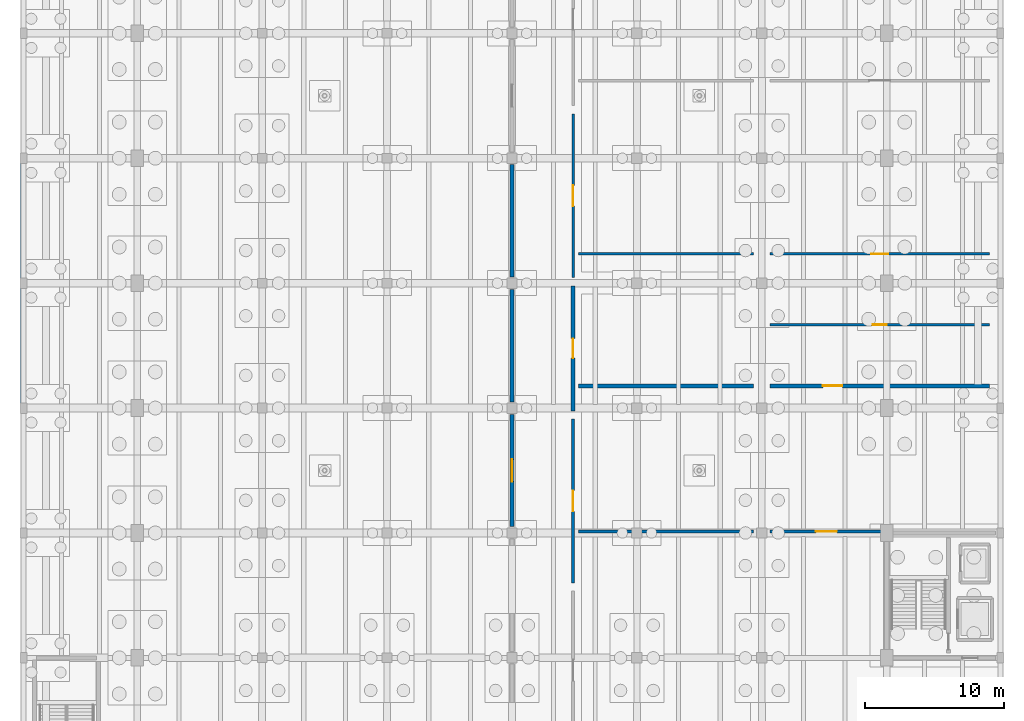
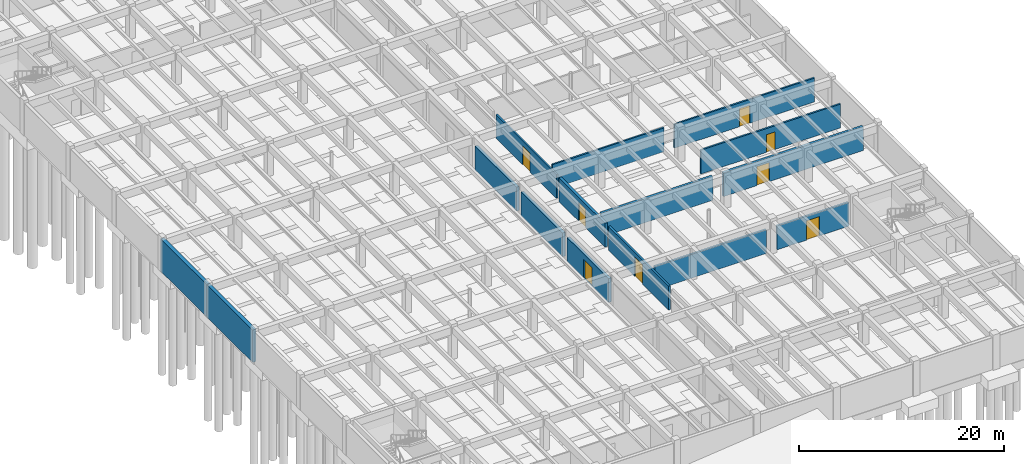
# One storey, part 18 of 23: 15 walls, 8 doors, 8 openings.
"""IFC4 building model written with IfcOpenShell, lengths in metres."""

from ifc_helpers import new_model, si_unit, direction, frame, frame_2d, origin, place, context, subcontext, project, spatial, rectangle, extrude, material, layer, layer_set, type_object, element, fill, save


model = new_model("IFC4")

# Units and contexts
model_context = context("Model", 3, precision=1e-05, world=origin(), true_north=direction((0.0, 1.0)))
body_context = subcontext(model_context, "Body", "Model", "MODEL_VIEW")
ifc_project = project(units=[si_unit("LENGTHUNIT", "METRE"), si_unit("AREAUNIT", "SQUARE_METRE"), si_unit("VOLUMEUNIT", "CUBIC_METRE"), si_unit("PLANEANGLEUNIT", "RADIAN"), si_unit("MASSUNIT", "GRAM", prefix="KILO")], contexts=[model_context])

# Site, building, storey
site_placement = place(None, origin())
site = spatial("IfcSite", under=ifc_project, at=site_placement, CompositionType="ELEMENT")
building_placement = place(site_placement, origin())
building = spatial("IfcBuilding", under=site, at=building_placement, Name="Ornek Quay Market", CompositionType="ELEMENT")
storey_placement = place(building_placement, frame((0.0, 0.0, -4.199951171875)))
storey = spatial("IfcBuildingStorey", under=building, at=storey_placement, Name="B1", CompositionType="ELEMENT", Elevation=-4.199951171875)

# Wall, opening, door
ifc_material_1 = material(Name="Double-stud acoustic laboratory partition", Category="other")
ifc_layer_1 = layer(ifc_material_1, 0.195068359375, Name="Double-stud acoustic laboratory partition", Category="other")
ifc_layer_set_1 = layer_set([ifc_layer_1], Name="Double-stud acoustic laboratory partition")
wall_type_1 = type_object("IfcWallType", Name="WL-ACOUSTIC-195", PredefinedType="PARTITIONING", material=ifc_layer_set_1)
wall_1_placement = place(storey_placement, frame((108.60009765625, 53.0, 0.0), z_axis=(0.0, 0.0, 1.0), x_axis=(1.0, 0.0, 0.0)))
wall_1 = element("IfcWall", 1, at=wall_1_placement, inside=storey, type_object=wall_type_1, Name="Interior wall W-INT6-356", PredefinedType="PARTITIONING", context=body_context, shape_type="SweptSolid", body=[
    extrude(rectangle(XDim=15.7998046875, YDim=0.195068359375, at=frame_2d((7.89990234375, 0.0))), origin(), (0.0, 0.0, 1.0), 2.849853515625),
])
opening_1_placement = place(wall_1_placement, frame((7.39990234375, 0.0, 0.0)))
opening_1 = element("IfcOpeningElement", 2, at=opening_1_placement, cuts=wall_1, Name="Opening ID-03-176", PredefinedType="OPENING", context=body_context, shape_type="SweptSolid", body=[
    extrude(rectangle(XDim=1.0, YDim=2.10009765625, at=frame_2d((0.5, 1.050048828125))), frame((0.0, 0.107421875, 0.0), z_axis=(0.0, -1.0, 0.0), x_axis=(1.0, 0.0, 0.0)), (0.0, 0.0, 1.0), 0.215087890625),
])
ifc_material_2 = material(Name="Solid oak door", Category="other")
door_type_1 = type_object("IfcDoorType", Name="DR-INT-ROOM-1000x2100", OperationType="NOTDEFINED", PredefinedType="DOOR", material=ifc_material_2)
door_1_placement = place(opening_1_placement, origin())
door_1 = element("IfcDoor", 3, at=door_1_placement, inside=storey, type_object=door_type_1, Name="Interior door ID-03-176", OperationType="SINGLE_SWING_LEFT", OverallHeight=2.10009765625, OverallWidth=1.0, PredefinedType="DOOR", context=body_context, shape_type="SweptSolid", body=[
    extrude(rectangle(XDim=1.0, YDim=2.10009765625, at=frame_2d((0.5, 1.050048828125))), frame((0.0, 0.02490234375, 0.0), z_axis=(0.0, -1.0, 0.0), x_axis=(1.0, 0.0, 0.0)), (0.0, 0.0, 1.0), 0.050048828125),
])
fill(opening_1, door_1)

ifc_material_3 = material(Name="Insulated PIR cold-store panel", Category="other")
ifc_layer_2 = layer(ifc_material_3, 0.219970703125, Name="Insulated PIR cold-store panel", Category="other")
ifc_layer_set_2 = layer_set([ifc_layer_2], Name="Insulated PIR cold-store panel")
wall_type_2 = type_object("IfcWallType", Name="WL-COLD-220", PredefinedType="PARTITIONING", material=ifc_layer_set_2)
wall_2_placement = place(storey_placement, frame((94.39990234375, 34.39990234375, 0.0), z_axis=(0.0, 0.0, 1.0), x_axis=(0.0, 1.0, 0.0)))
wall_2 = element("IfcWall", 4, at=wall_2_placement, inside=storey, type_object=wall_type_2, Name="Interior wall W-CLD1-199", PredefinedType="PARTITIONING", context=body_context, shape_type="SweptSolid", body=[
    extrude(rectangle(XDim=11.800048828125, YDim=0.219970703125, at=frame_2d((5.89990234375, 0.0))), origin(), (0.0, 0.0, 1.0), 2.849853515625),
])
opening_2_placement = place(wall_2_placement, frame((5.14990234375, 0.0, 0.0)))
opening_2 = element("IfcOpeningElement", 5, at=opening_2_placement, cuts=wall_2, Name="Opening FD-07-080", PredefinedType="OPENING", context=body_context, shape_type="SweptSolid", body=[
    extrude(rectangle(XDim=1.5, YDim=2.300048828125, at=frame_2d((0.75, 1.14990234375))), frame((0.0, 0.119873046875, 0.0), z_axis=(0.0, -1.0, 0.0), x_axis=(1.0, 0.0, 0.0)), (0.0, 0.0, 1.0), 0.239990234375),
])
ifc_material_4 = material(Name="Stainless steel PIR cold-store door", Category="steel")
door_type_2 = type_object("IfcDoorType", Name="DR-COLD-SLD-1500x2300", OperationType="SLIDING_TO_LEFT", PredefinedType="DOOR", material=ifc_material_4)
door_2_placement = place(opening_2_placement, origin())
door_2 = element("IfcDoor", 6, at=door_2_placement, inside=storey, type_object=door_type_2, Name="Interior door FD-07-080", OperationType="SLIDING_TO_LEFT", OverallHeight=2.300048828125, OverallWidth=1.5, PredefinedType="DOOR", context=body_context, shape_type="SweptSolid", body=[
    extrude(rectangle(XDim=1.5, YDim=2.300048828125, at=frame_2d((0.75, 1.14990234375))), frame((0.0, 0.02490234375, 0.0), z_axis=(0.0, -1.0, 0.0), x_axis=(1.0, 0.0, 0.0)), (0.0, 0.0, 1.0), 0.050048828125),
])
fill(opening_2, door_2)

# Wall
wall_3_placement = place(storey_placement, frame((94.800048828125, 38.10009765625, 0.0), z_axis=(0.0, 0.0, 1.0), x_axis=(1.0, 0.0, 0.0)))
element("IfcWall", 7, at=wall_3_placement, inside=storey, type_object=wall_type_2, Name="Interior wall W-CLD1-207", PredefinedType="PARTITIONING", context=body_context, shape_type="SweptSolid", body=[
    extrude(rectangle(XDim=12.599853515625, YDim=0.219970703125, at=frame_2d((6.2998046875, 0.0))), origin(), (0.0, 0.0, 1.0), 2.849853515625),
])

# Wall, opening, door
wall_4_placement = place(storey_placement, frame((108.60009765625, 38.10009765625, 0.0), z_axis=(0.0, 0.0, 1.0), x_axis=(1.0, 0.0, 0.0)))
wall_4 = element("IfcWall", 8, at=wall_4_placement, inside=storey, type_object=wall_type_2, Name="Interior wall W-CLD1-208", PredefinedType="PARTITIONING", context=body_context, shape_type="SweptSolid", body=[
    extrude(rectangle(XDim=8.099853515625, YDim=0.219970703125, at=frame_2d((4.0498046875, 0.0))), origin(), (0.0, 0.0, 1.0), 2.849853515625),
])
opening_3_placement = place(wall_4_placement, frame((3.300048828125, 0.0, 0.0)))
opening_3 = element("IfcOpeningElement", 9, at=opening_3_placement, cuts=wall_4, Name="Opening FD-07-087", PredefinedType="OPENING", context=body_context, shape_type="SweptSolid", body=[
    extrude(rectangle(XDim=1.5, YDim=2.300048828125, at=frame_2d((0.75, 1.14990234375))), frame((0.0, 0.119873046875, 0.0), z_axis=(0.0, -1.0, 0.0), x_axis=(1.0, 0.0, 0.0)), (0.0, 0.0, 1.0), 0.239990234375),
])
door_3_placement = place(opening_3_placement, origin())
door_3 = element("IfcDoor", 10, at=door_3_placement, inside=storey, type_object=door_type_2, Name="Interior door FD-07-087", OperationType="SLIDING_TO_LEFT", OverallHeight=2.300048828125, OverallWidth=1.5, PredefinedType="DOOR", context=body_context, shape_type="SweptSolid", body=[
    extrude(rectangle(XDim=1.5, YDim=2.300048828125, at=frame_2d((0.75, 1.14990234375))), frame((0.0, 0.02490234375, 0.0), z_axis=(0.0, -1.0, 0.0), x_axis=(1.0, 0.0, 0.0)), (0.0, 0.0, 1.0), 0.050048828125),
])
fill(opening_3, door_3)

ifc_material_5 = material(Name="Autoclaved aerated concrete masonry", Category="masonry")
ifc_layer_3 = layer(ifc_material_5, 0.179931640625, Name="Autoclaved aerated concrete masonry", Category="masonry")
ifc_layer_set_3 = layer_set([ifc_layer_3], Name="Autoclaved aerated concrete masonry")
wall_type_3 = type_object("IfcWallType", Name="WL-CORR-180", PredefinedType="STANDARD", material=ifc_layer_set_3)
wall_5_placement = place(storey_placement, frame((94.39990234375, 56.39990234375, 0.0), z_axis=(0.0, 0.0, 1.0), x_axis=(0.0, 1.0, 0.0)))
wall_5 = element("IfcWall", 11, at=wall_5_placement, inside=storey, type_object=wall_type_3, Name="Interior wall W-INT1-201", PredefinedType="STANDARD", context=body_context, shape_type="SweptSolid", body=[
    extrude(rectangle(XDim=11.800048828125, YDim=0.179931640625, at=frame_2d((5.89990234375, 0.0))), origin(), (0.0, 0.0, 1.0), 2.849853515625),
])
opening_4_placement = place(wall_5_placement, frame((5.14990234375, 0.0, 0.0)))
opening_4 = element("IfcOpeningElement", 12, at=opening_4_placement, cuts=wall_5, Name="Opening ID-01-082", PredefinedType="OPENING", context=body_context, shape_type="SweptSolid", body=[
    extrude(rectangle(XDim=1.5, YDim=2.25, at=frame_2d((0.75, 1.125))), frame((0.0, 0.099853515625, 0.0), z_axis=(0.0, -1.0, 0.0), x_axis=(1.0, 0.0, 0.0)), (0.0, 0.0, 1.0), 0.199951171875),
])
ifc_material_6 = material(Name="Solid oak and laminated glass door", Category="glass")
door_type_3 = type_object("IfcDoorType", Name="DR-INT-SHOP-1500x2250", OperationType="DOUBLE_DOOR_SINGLE_SWING", PredefinedType="DOOR", material=ifc_material_6)
door_4_placement = place(opening_4_placement, origin())
door_4 = element("IfcDoor", 13, at=door_4_placement, inside=storey, type_object=door_type_3, Name="Interior door ID-01-082", OperationType="DOUBLE_DOOR_SINGLE_SWING", OverallHeight=2.25, OverallWidth=1.5, PredefinedType="DOOR", context=body_context, shape_type="SweptSolid", body=[
    extrude(rectangle(XDim=1.5, YDim=2.25, at=frame_2d((0.75, 1.125))), frame((0.0, 0.02490234375, 0.0), z_axis=(0.0, -1.0, 0.0), x_axis=(1.0, 0.0, 0.0)), (0.0, 0.0, 1.0), 0.050048828125),
])
fill(opening_4, door_4)

# Wall
wall_6_placement = place(storey_placement, frame((94.800048828125, 58.10009765625, 0.0), z_axis=(0.0, 0.0, 1.0), x_axis=(1.0, 0.0, 0.0)))
element("IfcWall", 14, at=wall_6_placement, inside=storey, type_object=wall_type_3, Name="Interior wall W-INT1-211", PredefinedType="STANDARD", context=body_context, shape_type="SweptSolid", body=[
    extrude(rectangle(XDim=12.599853515625, YDim=0.179931640625, at=frame_2d((6.2998046875, 0.0))), origin(), (0.0, 0.0, 1.0), 2.849853515625),
])

# Wall, opening, door
wall_7_placement = place(storey_placement, frame((108.60009765625, 58.10009765625, 0.0), z_axis=(0.0, 0.0, 1.0), x_axis=(1.0, 0.0, 0.0)))
wall_7 = element("IfcWall", 15, at=wall_7_placement, inside=storey, type_object=wall_type_3, Name="Interior wall W-INT1-212", PredefinedType="STANDARD", context=body_context, shape_type="SweptSolid", body=[
    extrude(rectangle(XDim=15.7998046875, YDim=0.179931640625, at=frame_2d((7.89990234375, 0.0))), origin(), (0.0, 0.0, 1.0), 2.849853515625),
])
opening_5_placement = place(wall_7_placement, frame((7.300048828125, 0.0, 0.0)))
opening_5 = element("IfcOpeningElement", 16, at=opening_5_placement, cuts=wall_7, Name="Opening ID-02-089", PredefinedType="OPENING", context=body_context, shape_type="SweptSolid", body=[
    extrude(rectangle(XDim=1.199951171875, YDim=2.14990234375, at=frame_2d((0.60009765625, 1.074951171875))), frame((0.0, 0.099853515625, 0.0), z_axis=(0.0, -1.0, 0.0), x_axis=(1.0, 0.0, 0.0)), (0.0, 0.0, 1.0), 0.199951171875),
])
ifc_material_7 = material(Name="Acoustic solid oak door", Category="other")
door_type_4 = type_object("IfcDoorType", Name="DR-INT-STUDIO-1200x2150", OperationType="NOTDEFINED", PredefinedType="DOOR", material=ifc_material_7)
door_5_placement = place(opening_5_placement, origin())
door_5 = element("IfcDoor", 17, at=door_5_placement, inside=storey, type_object=door_type_4, Name="Interior door ID-02-089", OperationType="SINGLE_SWING_RIGHT", OverallHeight=2.14990234375, OverallWidth=1.199951171875, PredefinedType="DOOR", context=body_context, shape_type="SweptSolid", body=[
    extrude(rectangle(XDim=1.199951171875, YDim=2.14990234375, at=frame_2d((0.60009765625, 1.074951171875))), frame((0.0, 0.02490234375, 0.0), z_axis=(0.0, -1.0, 0.0), x_axis=(1.0, 0.0, 0.0)), (0.0, 0.0, 1.0), 0.050048828125),
])
fill(opening_5, door_5)

ifc_material_8 = material(Name="Concrete C40/50", Category="concrete")
ifc_layer_4 = layer(ifc_material_8, 0.320068359375, Name="Concrete C40/50", Category="concrete")
ifc_layer_set_4 = layer_set([ifc_layer_4], Name="Concrete C40/50")
wall_type_4 = type_object("IfcWallType", Name="WL-FIRE-320", PredefinedType="SOLIDWALL", material=ifc_layer_set_4)
wall_8_placement = place(storey_placement, frame((90.0, 38.449951171875, 0.0), z_axis=(0.0, 0.0, 1.0), x_axis=(0.0, 1.0, 0.0)))
wall_8 = element("IfcWall", 18, at=wall_8_placement, inside=storey, type_object=wall_type_4, Name="Interior wall W-FIRE1-189", PredefinedType="SOLIDWALL", context=body_context, shape_type="SweptSolid", body=[
    extrude(rectangle(XDim=8.10009765625, YDim=0.320068359375, at=frame_2d((4.050048828125, 0.0))), origin(), (0.0, 0.0, 1.0), 2.849853515625),
])
opening_6_placement = place(wall_8_placement, frame((3.25, 0.0, 0.0)))
opening_6 = element("IfcOpeningElement", 19, at=opening_6_placement, cuts=wall_8, Name="Opening FD-02-075", PredefinedType="OPENING", context=body_context, shape_type="SweptSolid", body=[
    extrude(rectangle(XDim=1.60009765625, YDim=2.199951171875, at=frame_2d((0.800048828125, 1.10009765625))), frame((0.0, 0.169921875, 0.0), z_axis=(0.0, -1.0, 0.0), x_axis=(1.0, 0.0, 0.0)), (0.0, 0.0, 1.0), 0.340087890625),
])
ifc_material_9 = material(Name="Insulated fire-rated painted steel", Category="steel")
door_type_5 = type_object("IfcDoorType", Name="DR-FIRE-DBL-1600x2200", OperationType="DOUBLE_DOOR_SINGLE_SWING", PredefinedType="DOOR", material=ifc_material_9)
door_6_placement = place(opening_6_placement, origin())
door_6 = element("IfcDoor", 20, at=door_6_placement, inside=storey, type_object=door_type_5, Name="Interior door FD-02-075", OperationType="DOUBLE_DOOR_SINGLE_SWING", OverallHeight=2.199951171875, OverallWidth=1.60009765625, PredefinedType="DOOR", context=body_context, shape_type="SweptSolid", body=[
    extrude(rectangle(XDim=1.60009765625, YDim=2.199951171875, at=frame_2d((0.800048828125, 1.10009765625))), frame((0.0, 0.02490234375, 0.0), z_axis=(0.0, -1.0, 0.0), x_axis=(1.0, 0.0, 0.0)), (0.0, 0.0, 1.0), 0.050048828125),
])
fill(opening_6, door_6)

# Walls
for number, where, z_axis, x_axis, name in (
    (21, (90.0, 47.449951171875, 0.0), (0.0, 0.0, 1.0), (0.0, 1.0, 0.0), "Interior wall W-FIRE1-190"),
    (22, (90.0, 56.449951171875, 0.0), (0.0, 0.0, 1.0), (0.0, 1.0, 0.0), "Interior wall W-FIRE1-191"),
):
    element("IfcWall", number, at=place(storey_placement, frame(where, z_axis=z_axis, x_axis=x_axis)), inside=storey, type_object=wall_type_4, Name=name, PredefinedType="SOLIDWALL", context=body_context, shape_type="SweptSolid", body=[
        extrude(rectangle(XDim=8.10009765625, YDim=0.320068359375, at=frame_2d((4.050048828125, 0.0))), origin(), (0.0, 0.0, 1.0), 2.849853515625),
    ])

# Wall, opening, door
ifc_material_10 = material(Name="Insulated PIR freezer panel", Category="other")
ifc_layer_5 = layer(ifc_material_10, 0.280029296875, Name="Insulated PIR freezer panel", Category="other")
ifc_layer_set_5 = layer_set([ifc_layer_5], Name="Insulated PIR freezer panel")
wall_type_5 = type_object("IfcWallType", Name="WL-FRZ-280", PredefinedType="PARTITIONING", material=ifc_layer_set_5)
wall_9_placement = place(storey_placement, frame((94.39990234375, 46.800048828125, 0.0), z_axis=(0.0, 0.0, 1.0), x_axis=(0.0, 1.0, 0.0)))
wall_9 = element("IfcWall", 23, at=wall_9_placement, inside=storey, type_object=wall_type_5, Name="Interior wall W-CLD2-200", PredefinedType="PARTITIONING", context=body_context, shape_type="SweptSolid", body=[
    extrude(rectangle(XDim=9.0, YDim=0.280029296875, at=frame_2d((4.5, 0.0))), origin(), (0.0, 0.0, 1.0), 2.849853515625),
])
opening_7_placement = place(wall_9_placement, frame((3.800048828125, 0.0, 0.0)))
opening_7 = element("IfcOpeningElement", 24, at=opening_7_placement, cuts=wall_9, Name="Opening FD-08-081", PredefinedType="OPENING", context=body_context, shape_type="SweptSolid", body=[
    extrude(rectangle(XDim=1.39990234375, YDim=2.25, at=frame_2d((0.699951171875, 1.125))), frame((0.0, 0.14990234375, 0.0), z_axis=(0.0, -1.0, 0.0), x_axis=(1.0, 0.0, 0.0)), (0.0, 0.0, 1.0), 0.300048828125),
])
ifc_material_11 = material(Name="Stainless steel PIR freezer door", Category="steel")
door_type_6 = type_object("IfcDoorType", Name="DR-FRZ-SLD-1400x2250", OperationType="SLIDING_TO_RIGHT", PredefinedType="DOOR", material=ifc_material_11)
door_7_placement = place(opening_7_placement, origin())
door_7 = element("IfcDoor", 25, at=door_7_placement, inside=storey, type_object=door_type_6, Name="Interior door FD-08-081", OperationType="SLIDING_TO_RIGHT", OverallHeight=2.25, OverallWidth=1.39990234375, PredefinedType="DOOR", context=body_context, shape_type="SweptSolid", body=[
    extrude(rectangle(XDim=1.39990234375, YDim=2.25, at=frame_2d((0.699951171875, 1.125))), frame((0.0, 0.02490234375, 0.0), z_axis=(0.0, -1.0, 0.0), x_axis=(1.0, 0.0, 0.0)), (0.0, 0.0, 1.0), 0.050048828125),
])
fill(opening_7, door_7)

# Wall
wall_10_placement = place(storey_placement, frame((94.800048828125, 48.60009765625, 0.0), z_axis=(0.0, 0.0, 1.0), x_axis=(1.0, 0.0, 0.0)))
element("IfcWall", 26, at=wall_10_placement, inside=storey, type_object=wall_type_5, Name="Interior wall W-CLD2-209", PredefinedType="PARTITIONING", context=body_context, shape_type="SweptSolid", body=[
    extrude(rectangle(XDim=12.599853515625, YDim=0.280029296875, at=frame_2d((6.2998046875, 0.0))), origin(), (0.0, 0.0, 1.0), 2.849853515625),
])

# Wall, opening, door
wall_11_placement = place(storey_placement, frame((108.60009765625, 48.60009765625, 0.0), z_axis=(0.0, 0.0, 1.0), x_axis=(1.0, 0.0, 0.0)))
wall_11 = element("IfcWall", 27, at=wall_11_placement, inside=storey, type_object=wall_type_5, Name="Interior wall W-CLD2-210", PredefinedType="PARTITIONING", context=body_context, shape_type="SweptSolid", body=[
    extrude(rectangle(XDim=15.7998046875, YDim=0.280029296875, at=frame_2d((7.89990234375, 0.0))), origin(), (0.0, 0.0, 1.0), 2.849853515625),
])
opening_8_placement = place(wall_11_placement, frame((3.800048828125, 0.0, 0.0)))
opening_8 = element("IfcOpeningElement", 28, at=opening_8_placement, cuts=wall_11, Name="Opening FD-08-088", PredefinedType="OPENING", context=body_context, shape_type="SweptSolid", body=[
    extrude(rectangle(XDim=1.39990234375, YDim=2.25, at=frame_2d((0.699951171875, 1.125))), frame((0.0, 0.14990234375, 0.0), z_axis=(0.0, -1.0, 0.0), x_axis=(1.0, 0.0, 0.0)), (0.0, 0.0, 1.0), 0.300048828125),
])
door_8_placement = place(opening_8_placement, origin())
door_8 = element("IfcDoor", 29, at=door_8_placement, inside=storey, type_object=door_type_6, Name="Interior door FD-08-088", OperationType="SLIDING_TO_RIGHT", OverallHeight=2.25, OverallWidth=1.39990234375, PredefinedType="DOOR", context=body_context, shape_type="SweptSolid", body=[
    extrude(rectangle(XDim=1.39990234375, YDim=2.25, at=frame_2d((0.699951171875, 1.125))), frame((0.0, 0.02490234375, 0.0), z_axis=(0.0, -1.0, 0.0), x_axis=(1.0, 0.0, 0.0)), (0.0, 0.0, 1.0), 0.050048828125),
])
fill(opening_8, door_8)

# Walls
ifc_material_12 = material(Name="Concrete C35/45", Category="concrete")
ifc_layer_6 = layer(ifc_material_12, 0.39990234375, Name="Concrete C35/45", Category="concrete")
ifc_layer_set_6 = layer_set([ifc_layer_6], Name="Concrete C35/45")
wall_type_6 = type_object("IfcWallType", Name="WL-RET-400", PredefinedType="USERDEFINED", material=ifc_layer_set_6)
for number, where, z_axis, x_axis, name in (
    (30, (54.800048828125, 47.0, 0.0), (0.0, 0.0, 1.0), (0.0, 1.0, 0.0), "Exterior wall EW-025"),
    (31, (54.800048828125, 56.0, 0.0), (0.0, 0.0, 1.0), (0.0, 1.0, 0.0), "Exterior wall EW-027"),
):
    element("IfcWall", number, at=place(storey_placement, frame(where, z_axis=z_axis, x_axis=x_axis)), inside=storey, type_object=wall_type_6, Name=name, ObjectType="RETAINING WALL", PredefinedType="USERDEFINED", context=body_context, shape_type="SweptSolid", body=[
        extrude(rectangle(XDim=9.0, YDim=0.39990234375, at=frame_2d((4.5, 0.0))), origin(), (0.0, 0.0, 1.0), 3.85986328125),
    ])

save(model, "model.ifc")
